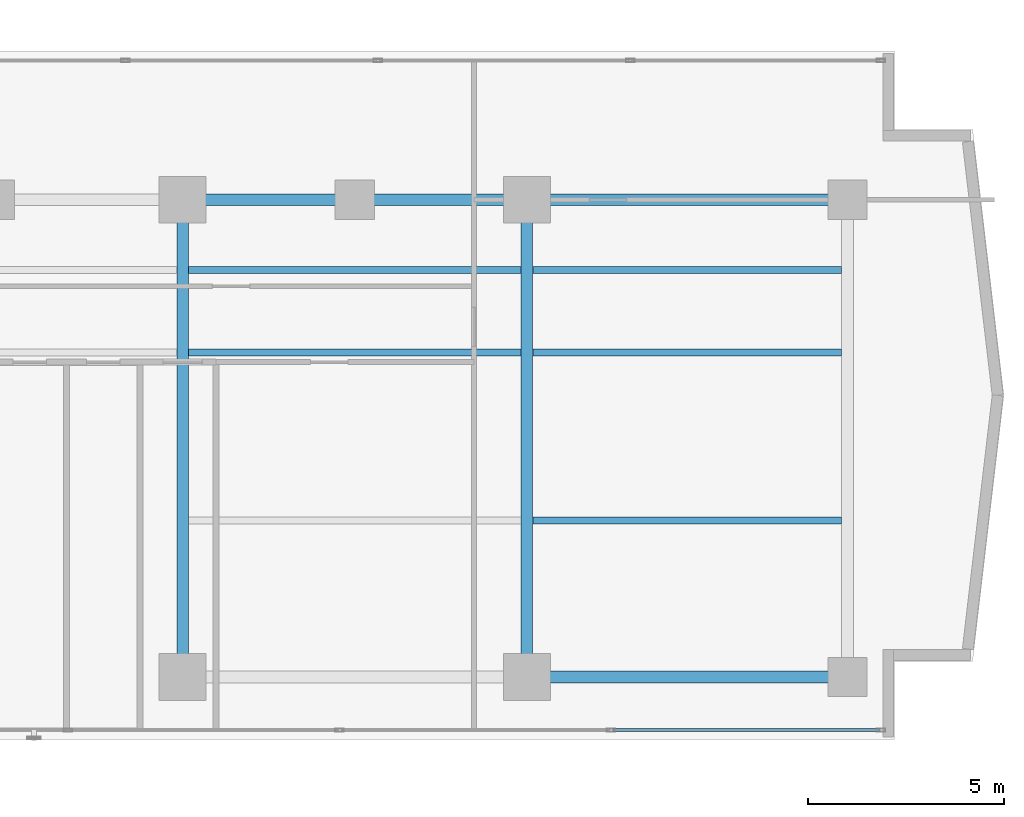
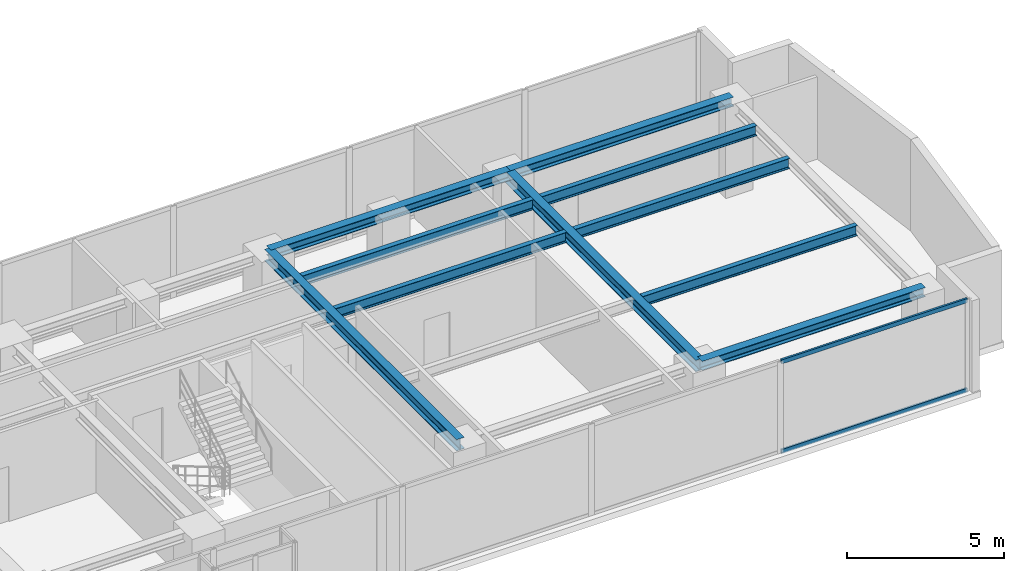
# One storey, part 11 of 24: 10 beams, 2 members, 1 element without a shape of its own.
"""IFC4 building model written with IfcOpenShell, lengths in metres."""

from ifc_helpers import new_model, si_unit, direction, frame, origin, origin_with_axes, origin_2d, place, context, subcontext, project, spatial, hollow_rectangle, i_section, extrude, source, transform, mapped, material, layer, layer_set, material_profile, profile_set, type_object, element, aggregate, save


model = new_model("IFC4")

# Units and contexts
model_context = context("Model", 3, precision=1e-05, world=origin(), true_north=direction((0.0, 1.0)))
body_context = subcontext(model_context, "Body", "Model", "MODEL_VIEW")
ifc_project = project(units=[si_unit("LENGTHUNIT", "METRE"), si_unit("AREAUNIT", "SQUARE_METRE"), si_unit("VOLUMEUNIT", "CUBIC_METRE"), si_unit("PLANEANGLEUNIT", "RADIAN"), si_unit("MASSUNIT", "GRAM", prefix="KILO")], contexts=[model_context])

# Site, building, storey
site_placement = place(None, origin())
site = spatial("IfcSite", under=ifc_project, at=site_placement, CompositionType="ELEMENT")
building_placement = place(site_placement, origin())
building = spatial("IfcBuilding", under=site, at=building_placement, Name="Kolvaren Waterfront Exchange", CompositionType="ELEMENT")
storey_placement = place(building_placement, frame((0.0, 0.0, 169.0)))
storey = spatial("IfcBuildingStorey", under=building, at=storey_placement, Name="L43", CompositionType="ELEMENT", Elevation=169.0)

# Beams
ifc_material_1 = material(Name="Steel S355", Category="steel")
ifc_material_profile_1 = material_profile(ifc_material_1, i_section(OverallWidth=0.300048828125, OverallDepth=0.360107421875, WebThickness=0.012451171875, FlangeThickness=0.0224609375, FilletRadius=0.027099609375, at=origin_2d()), Name="HEB360")
ifc_profile_set_1 = profile_set([ifc_material_profile_1], Name="Steel S355")
beam_type_1 = type_object("IfcBeamType", Name="STR-BM-HEB360", PredefinedType="SPANDREL", material=ifc_profile_set_1)
beam_1_placement = place(storey_placement, frame((45.60009765625, 5.199951171875, 3.3798828125), z_axis=(1.0, 0.0, 0.0), x_axis=(0.0, 1.0, 0.0)))
element("IfcBeam", 1, at=beam_1_placement, inside=storey, type_object=beam_type_1, Name="L43 east-arm spandrel S4", PredefinedType="SPANDREL", context=body_context, shape_type="SweptSolid", body=[
    extrude(i_section(OverallWidth=0.300048828125, OverallDepth=0.360107421875, WebThickness=0.012451171875, FlangeThickness=0.0224609375, FilletRadius=0.027099609375, at=origin_2d()), origin(), (0.0, 0.0, 1.0), 8.199951171875),
])
beam_2_placement = place(storey_placement, frame((36.800048828125, 17.39990234375, 3.3798828125), z_axis=(1.0, 0.0, 0.0), x_axis=(0.0, 1.0, 0.0)))
element("IfcBeam", 2, at=beam_2_placement, inside=storey, type_object=beam_type_1, Name="L43 east-arm spandrel N3", PredefinedType="SPANDREL", context=body_context, shape_type="SweptSolid", body=[
    extrude(i_section(OverallWidth=0.300048828125, OverallDepth=0.360107421875, WebThickness=0.012451171875, FlangeThickness=0.0224609375, FilletRadius=0.027099609375, at=origin_2d()), origin(), (0.0, 0.0, 1.0), 8.800048828125),
])
beam_3_placement = place(storey_placement, frame((45.60009765625, 17.39990234375, 3.3798828125), z_axis=(1.0, 0.0, 0.0), x_axis=(0.0, 1.0, 0.0)))
element("IfcBeam", 3, at=beam_3_placement, inside=storey, type_object=beam_type_1, Name="L43 east-arm spandrel N4", PredefinedType="SPANDREL", context=body_context, shape_type="SweptSolid", body=[
    extrude(i_section(OverallWidth=0.300048828125, OverallDepth=0.360107421875, WebThickness=0.012451171875, FlangeThickness=0.0224609375, FilletRadius=0.027099609375, at=origin_2d()), origin(), (0.0, 0.0, 1.0), 8.199951171875),
])
ifc_material_profile_2 = material_profile(ifc_material_1, i_section(OverallWidth=0.300048828125, OverallDepth=0.449951171875, WebThickness=0.013916015625, FlangeThickness=0.02587890625, FilletRadius=0.027099609375, at=origin_2d()), Name="HEB450")
ifc_profile_set_2 = profile_set([ifc_material_profile_2], Name="Steel S355")
beam_type_2 = type_object("IfcBeamType", Name="STR-BM-HEB450", PredefinedType="BEAM", material=ifc_profile_set_2)
for number, where, z_axis, x_axis, name in (
    (4, (36.800048828125, 5.199951171875, 3.3349609375), (0.0, 1.0, 0.0), (-1.0, 0.0, 0.0), "L43 east-arm transverse girder X36"),
    (5, (45.60009765625, 5.199951171875, 3.3349609375), (0.0, 1.0, 0.0), (-1.0, 0.0, 0.0), "L43 east-arm transverse girder X45"),
):
    element("IfcBeam", number, at=place(storey_placement, frame(where, z_axis=z_axis, x_axis=x_axis)), inside=storey, type_object=beam_type_2, Name=name, PredefinedType="BEAM", context=body_context, shape_type="SweptSolid", body=[
        extrude(i_section(OverallWidth=0.300048828125, OverallDepth=0.449951171875, WebThickness=0.013916015625, FlangeThickness=0.02587890625, FilletRadius=0.027099609375, at=origin_2d()), origin(), (0.0, 0.0, 1.0), 12.199951171875),
    ])
ifc_material_profile_3 = material_profile(ifc_material_1, i_section(OverallWidth=0.179931640625, OverallDepth=0.39990234375, WebThickness=0.008544921875, FlangeThickness=0.013427734375, FilletRadius=0.02099609375, at=origin_2d()), Name="IPE400")
ifc_profile_set_3 = profile_set([ifc_material_profile_3], Name="Steel S355")
beam_type_3 = type_object("IfcBeamType", Name="STR-BM-IPE400", PredefinedType="JOIST", material=ifc_profile_set_3)
for number, where, z_axis, x_axis, name in (
    (6, (36.951904296875, 13.5, 3.360107421875), (1.0, 0.0, 0.0), (0.0, 1.0, 0.0), "L43 east-arm composite joist 3A"),
    (7, (36.951904296875, 15.60009765625, 3.360107421875), (1.0, 0.0, 0.0), (0.0, 1.0, 0.0), "L43 east-arm composite joist 3C"),
):
    element("IfcBeam", number, at=place(storey_placement, frame(where, z_axis=z_axis, x_axis=x_axis)), inside=storey, type_object=beam_type_3, Name=name, PredefinedType="JOIST", context=body_context, shape_type="SweptSolid", body=[
        extrude(i_section(OverallWidth=0.179931640625, OverallDepth=0.39990234375, WebThickness=0.008544921875, FlangeThickness=0.013427734375, FilletRadius=0.02099609375, at=origin_2d()), origin(), (0.0, 0.0, 1.0), 8.49609375),
    ])
for number, where, z_axis, x_axis, name in (
    (8, (45.751953125, 13.5, 3.360107421875), (1.0, 0.0, 0.0), (0.0, 1.0, 0.0), "L43 east-arm composite joist 4A"),
    (9, (45.751953125, 15.60009765625, 3.360107421875), (1.0, 0.0, 0.0), (0.0, 1.0, 0.0), "L43 east-arm composite joist 4C"),
    (10, (45.751953125, 9.199951171875, 3.360107421875), (1.0, 0.0, 0.0), (0.0, 1.0, 0.0), "L43 east-arm composite joist 4B"),
):
    element("IfcBeam", number, at=place(storey_placement, frame(where, z_axis=z_axis, x_axis=x_axis)), inside=storey, type_object=beam_type_3, Name=name, PredefinedType="JOIST", context=body_context, shape_type="SweptSolid", body=[
        extrude(i_section(OverallWidth=0.179931640625, OverallDepth=0.39990234375, WebThickness=0.008544921875, FlangeThickness=0.013427734375, FilletRadius=0.02099609375, at=origin_2d()), origin(), (0.0, 0.0, 1.0), 7.89599609375),
    ])

# Curtain wall, members
ifc_material_2 = material(Name="Anodised bronze aluminium 6063-T6", Category="aluminium")
ifc_layer = layer(ifc_material_2, 0.219970703125, Name="Anodised bronze aluminium 6063-T6")
ifc_layer_set = layer_set([ifc_layer], Name="Anodised bronze aluminium 6063-T6")
curtain_wall_type = type_object("IfcCurtainWallType", Name="ARC-CW-SYS1", PredefinedType="USERDEFINED", material=ifc_layer_set)
curtain_wall_placement = place(storey_placement, origin())
curtain_wall = element("IfcCurtainWall", 11, at=curtain_wall_placement, inside=storey, type_object=curtain_wall_type, Name="L43 stick curtain wall CW1 (CW-L43-S)", ObjectType="STICK CURTAIN WALL", PredefinedType="USERDEFINED")
ifc_material_3 = material(Name="Anodised aluminium 6063-T6", Category="aluminium")
ifc_material_profile_4 = material_profile(ifc_material_3, hollow_rectangle(XDim=0.074951171875, YDim=0.159912109375, WallThickness=0.00439453125, at=origin_2d()), Name="ALU-TRN-160x75x4.5")
ifc_profile_set_4 = profile_set([ifc_material_profile_4], Name="Anodised aluminium 6063-T6")
member_type = type_object("IfcMemberType", Name="ARC-CWT-160", PredefinedType="USERDEFINED", material=ifc_profile_set_4)
shared_shape = source(origin_with_axes(), body_context, "Body", "SweptSolid", [
    extrude(hollow_rectangle(XDim=0.074951171875, YDim=0.159912109375, WallThickness=0.00439453125, at=origin_2d()), origin(), (0.0, 0.0, 1.0), 6.822998046875),
])
member_1_placement = place(storey_placement, frame((47.797119140625, 3.840087890625, 0.03759765625), z_axis=(1.0, 0.0, 0.0), x_axis=(0.0, 1.0, 0.0)))
member_1 = element("IfcMember", 12, at=member_1_placement, type_object=member_type, Name="CW1 transom 7.1", ObjectType="TRANSOM", PredefinedType="USERDEFINED", context=body_context, shape_type="MappedRepresentation", body=[
    mapped(shared_shape, transform((0.0, 0.0, 0.0), x_axis=(1.0, 0.0, 0.0), y_axis=(0.0, 1.0, 0.0), z_axis=(0.0, 0.0, 1.0), scale=1.0)),
])
member_2_placement = place(storey_placement, frame((47.797119140625, 3.840087890625, 3.5224609375), z_axis=(1.0, 0.0, 0.0), x_axis=(0.0, 1.0, 0.0)))
member_2 = element("IfcMember", 13, at=member_2_placement, type_object=member_type, Name="CW1 transom 7.2", ObjectType="TRANSOM", PredefinedType="USERDEFINED", context=body_context, shape_type="MappedRepresentation", body=[
    mapped(shared_shape, transform((0.0, 0.0, 0.0), x_axis=(1.0, 0.0, 0.0), y_axis=(0.0, 1.0, 0.0), z_axis=(0.0, 0.0, 1.0), scale=1.0)),
])
aggregate(curtain_wall, [member_1, member_2])

save(model, "model.ifc")
